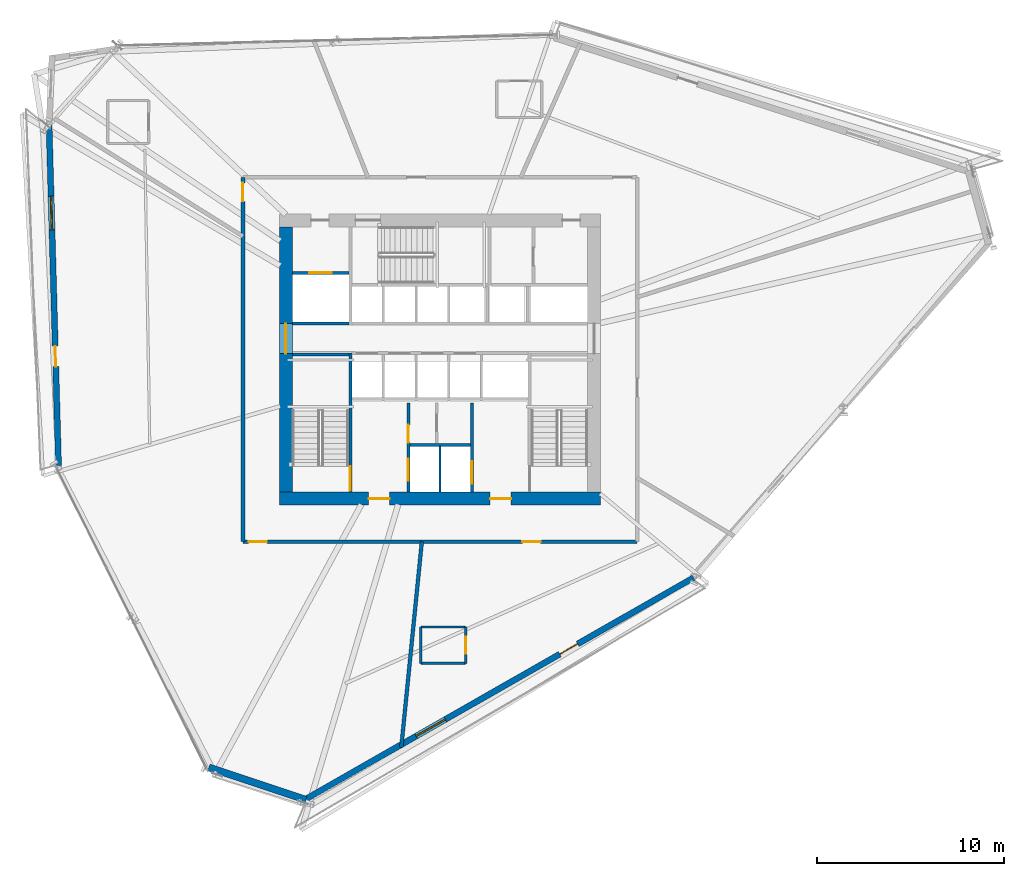
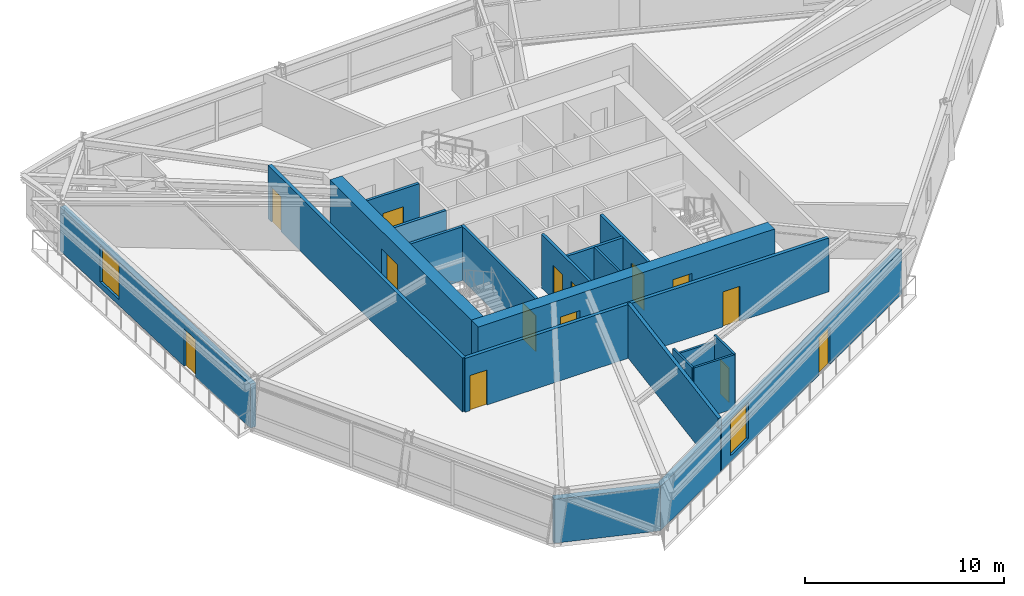
# One storey, part 14 of 20: 20 walls, 14 doors, 2 windows, 16 openings.
"""IFC4 building model written with IfcOpenShell, lengths in metres."""

from ifc_helpers import new_model, si_unit, direction, frame, frame_2d, origin, place, context, subcontext, project, spatial, rectangle, extrude, source, transform, mapped, material, layer, layer_set, type_object, type_shapes, element, fill, save


model = new_model("IFC4")

# Units and contexts
model_context = context("Model", 3, precision=1e-05, world=origin(), true_north=direction((0.0, 1.0)))
body_context = subcontext(model_context, "Body", "Model", "MODEL_VIEW")
ifc_project = project(units=[si_unit("LENGTHUNIT", "METRE"), si_unit("AREAUNIT", "SQUARE_METRE"), si_unit("VOLUMEUNIT", "CUBIC_METRE"), si_unit("PLANEANGLEUNIT", "RADIAN"), si_unit("MASSUNIT", "GRAM", prefix="KILO")], contexts=[model_context])

# Site, building, storey
site_placement = place(None, origin())
site = spatial("IfcSite", under=ifc_project, at=site_placement, CompositionType="ELEMENT")
building_placement = place(site_placement, origin())
building = spatial("IfcBuilding", under=site, at=building_placement, Name="Olszyna Solenne Hotel", CompositionType="ELEMENT")
storey_placement = place(building_placement, frame((0.0, 0.0, 98.60009765625)))
storey = spatial("IfcBuildingStorey", under=building, at=storey_placement, Name="L25", CompositionType="ELEMENT", Elevation=98.60009765625)

# Wall, openings, doors
ifc_material_1 = material(Name="Concrete C60/75", Category="concrete")
ifc_layer_1 = layer(ifc_material_1, 0.699951171875, Name="Concrete C60/75")
ifc_layer_set_1 = layer_set([ifc_layer_1], Name="Concrete C60/75")
wall_type_1 = type_object("IfcWallType", Name="WL-CR700", PredefinedType="SHEAR", material=ifc_layer_set_1)
wall_1_placement = place(storey_placement, frame((46.60009765625, 19.14990234375, 0.0), z_axis=(0.0, 0.0, 1.0), x_axis=(-1.0, 0.0, 0.0)))
wall_1 = element("IfcWall", 1, at=wall_1_placement, inside=storey, type_object=wall_type_1, Name="Core shear wall WL-CR700 CRW-L25-S", PredefinedType="SHEAR", context=body_context, shape_type="SweptSolid", body=[
    extrude(rectangle(XDim=17.2001953125, YDim=0.699951171875, at=frame_2d((8.60009765625, 0.0))), origin(), (0.0, 0.0, 1.0), 3.2998046875),
])
opening_1_placement = place(wall_1_placement, frame((4.800048828125, 0.0, 0.0)))
opening_1 = element("IfcOpeningElement", 2, at=opening_1_placement, cuts=wall_1, Name="Opening FL-L25-1", PredefinedType="OPENING", context=body_context, shape_type="SweptSolid", body=[
    extrude(rectangle(XDim=1.1201171875, YDim=2.25, at=frame_2d((0.56005859375, 1.125))), frame((0.0, 0.35986328125, 0.0), z_axis=(0.0, -1.0, 0.0), x_axis=(1.0, 0.0, 0.0)), (0.0, 0.0, 1.0), 0.719970703125),
])
opening_2_placement = place(wall_1_placement, frame((11.300048828125, 0.0, 0.0)))
opening_2 = element("IfcOpeningElement", 3, at=opening_2_placement, cuts=wall_1, Name="Opening FL-L25-2", PredefinedType="OPENING", context=body_context, shape_type="SweptSolid", body=[
    extrude(rectangle(XDim=1.1201171875, YDim=2.25, at=frame_2d((0.56005859375, 1.125))), frame((0.0, 0.35986328125, 0.0), z_axis=(0.0, -1.0, 0.0), x_axis=(1.0, 0.0, 0.0)), (0.0, 0.0, 1.0), 0.719970703125),
])
ifc_material_2 = material(Name="Steel S355J2", Category="steel")
door_type_1 = type_object("IfcDoorType", Name="DR-FL1", OperationType="NOTDEFINED", PredefinedType="DOOR", material=ifc_material_2)
shared_shape_1 = source(origin(), body_context, "Body", "SweptSolid", [
    extrude(rectangle(XDim=1.1201171875, YDim=2.25, at=frame_2d((0.56005859375, 1.125))), frame((0.0, 0.02490234375, 0.0), z_axis=(0.0, -1.0, 0.0), x_axis=(1.0, 0.0, 0.0)), (0.0, 0.0, 1.0), 0.050048828125),
])
type_shapes(door_type_1, [shared_shape_1])
door_1_placement = place(opening_1_placement, origin())
door_1 = element("IfcDoor", 4, at=door_1_placement, inside=storey, type_object=door_type_1, Name="Firefighting lift lobby smoke door FL-L25-1", OperationType="SINGLE_SWING_LEFT", OverallHeight=2.25, OverallWidth=1.1201171875, PredefinedType="DOOR", context=body_context, shape_type="MappedRepresentation", body=[
    mapped(shared_shape_1, transform((0.0, 0.0, 0.0), x_axis=(1.0, 0.0, 0.0), y_axis=(0.0, 1.0, 0.0), z_axis=(0.0, 0.0, 1.0), scale=1.0)),
])
fill(opening_1, door_1)
door_2_placement = place(opening_2_placement, origin())
door_2 = element("IfcDoor", 5, at=door_2_placement, inside=storey, type_object=door_type_1, Name="Firefighting lift lobby smoke door FL-L25-2", OperationType="SINGLE_SWING_RIGHT", OverallHeight=2.25, OverallWidth=1.1201171875, PredefinedType="DOOR", context=body_context, shape_type="MappedRepresentation", body=[
    mapped(shared_shape_1, transform((0.0, 0.0, 0.0), x_axis=(1.0, 0.0, 0.0), y_axis=(0.0, 1.0, 0.0), z_axis=(0.0, 0.0, 1.0), scale=1.0)),
])
fill(opening_2, door_2)

# Wall, opening, door
wall_2_placement = place(storey_placement, frame((29.75, 19.5, 0.0), z_axis=(0.0, 0.0, 1.0), x_axis=(0.0, 1.0, 0.0)))
wall_2 = element("IfcWall", 6, at=wall_2_placement, inside=storey, type_object=wall_type_1, Name="Core shear wall WL-CR700 CRW-L25-W", PredefinedType="SHEAR", context=body_context, shape_type="SweptSolid", body=[
    extrude(rectangle(XDim=14.199951171875, YDim=0.699951171875, at=frame_2d((7.10009765625, 0.0))), origin(), (0.0, 0.0, 1.0), 3.2998046875),
])
opening_3_placement = place(wall_2_placement, frame((7.419921875, 0.0, 0.0)))
opening_3 = element("IfcOpeningElement", 7, at=opening_3_placement, cuts=wall_2, Name="Opening LHD-L25-W", PredefinedType="OPENING", context=body_context, shape_type="SweptSolid", body=[
    extrude(rectangle(XDim=1.60009765625, YDim=2.199951171875, at=frame_2d((0.800048828125, 1.10009765625))), frame((0.0, 0.35986328125, 0.0), z_axis=(0.0, -1.0, 0.0), x_axis=(1.0, 0.0, 0.0)), (0.0, 0.0, 1.0), 0.719970703125),
])
ifc_material_3 = material(Name="Timber hardwood", Category="wood")
door_type_2 = type_object("IfcDoorType", Name="DR-CR1", OperationType="DOUBLE_DOOR_SINGLE_SWING", PredefinedType="DOOR", material=ifc_material_3)
shared_shape_2 = source(origin(), body_context, "Body", "SweptSolid", [
    extrude(rectangle(XDim=1.60009765625, YDim=2.199951171875, at=frame_2d((0.800048828125, 1.10009765625))), frame((0.0, 0.02490234375, 0.0), z_axis=(0.0, -1.0, 0.0), x_axis=(1.0, 0.0, 0.0)), (0.0, 0.0, 1.0), 0.050048828125),
])
type_shapes(door_type_2, [shared_shape_2])
door_3_placement = place(opening_3_placement, origin())
door_3 = element("IfcDoor", 8, at=door_3_placement, inside=storey, type_object=door_type_2, Name="Passenger lift lobby West fire door LHD-L25-W", OperationType="DOUBLE_DOOR_SINGLE_SWING", OverallHeight=2.199951171875, OverallWidth=1.60009765625, PredefinedType="DOOR", context=body_context, shape_type="MappedRepresentation", body=[
    mapped(shared_shape_2, transform((0.0, 0.0, 0.0), x_axis=(1.0, 0.0, 0.0), y_axis=(0.0, 1.0, 0.0), z_axis=(0.0, 0.0, 1.0), scale=1.0)),
])
fill(opening_3, door_3)

# Wall, openings, door, window
ifc_material_4 = material(Name="Precast concrete C45/55", Category="concrete")
ifc_layer_2 = layer(ifc_material_4, 0.320068359375, Name="Precast concrete C45/55")
ifc_layer_set_2 = layer_set([ifc_layer_2], Name="Precast concrete C45/55")
wall_type_2 = type_object("IfcWallType", Name="WL-EX320", PredefinedType="SOLIDWALL", material=ifc_layer_set_2)
wall_3_placement = place(storey_placement, frame((51.57080078125, 14.919189453125, 0.0), z_axis=(0.0, 0.0, 1.0), x_axis=(-0.868493525255, -0.495700510984, 0.0)))
wall_3 = element("IfcWall", 9, at=wall_3_placement, inside=storey, type_object=wall_type_2, Name="Exterior terracotta-precast frame wall WL-EX320 EW-L25-01", PredefinedType="SOLIDWALL", context=body_context, shape_type="SweptSolid", body=[
    extrude(rectangle(XDim=24.051025390625, YDim=0.320068359375, at=frame_2d((12.025390625, 0.0))), origin(), (0.0, 0.0, 1.0), 2.69189453125),
])
opening_4_placement = place(wall_3_placement, frame((7.14599609375, 0.0, 0.0)))
opening_4 = element("IfcOpeningElement", 10, at=opening_4_placement, cuts=wall_3, Name="Opening LDG-L25-3", PredefinedType="OPENING", context=body_context, shape_type="SweptSolid", body=[
    extrude(rectangle(XDim=1.10009765625, YDim=2.300048828125, at=frame_2d((0.550048828125, 1.14990234375))), frame((0.0, 0.169921875, 0.0), z_axis=(0.0, -1.0, 0.0), x_axis=(1.0, 0.0, 0.0)), (0.0, 0.0, 1.0), 0.340087890625),
])
opening_5_placement = place(wall_3_placement, frame((15.298095703125, 0.0, 0.3720703125)))
opening_5 = element("IfcOpeningElement", 11, at=opening_5_placement, cuts=wall_3, Name="Opening WN-L25-133", PredefinedType="OPENING", context=body_context, shape_type="SweptSolid", body=[
    extrude(rectangle(XDim=1.800048828125, YDim=2.199951171875, at=frame_2d((0.89990234375, 1.10009765625))), frame((0.0, 0.169921875, 0.0), z_axis=(0.0, -1.0, 0.0), x_axis=(1.0, 0.0, 0.0)), (0.0, 0.0, 1.0), 0.340087890625),
])
ifc_material_5 = material(Name="Anodised bronze aluminium", Category="aluminium")
door_type_3 = type_object("IfcDoorType", Name="DR-LG1", OperationType="NOTDEFINED", PredefinedType="DOOR", material=ifc_material_5)
shared_shape_3 = source(origin(), body_context, "Body", "SweptSolid", [
    extrude(rectangle(XDim=1.10009765625, YDim=2.300048828125, at=frame_2d((0.550048828125, 1.14990234375))), frame((0.0, 0.02490234375, 0.0), z_axis=(0.0, -1.0, 0.0), x_axis=(1.0, 0.0, 0.0)), (0.0, 0.0, 1.0), 0.050048828125),
])
type_shapes(door_type_3, [shared_shape_3])
door_4_placement = place(opening_4_placement, origin())
door_4 = element("IfcDoor", 12, at=door_4_placement, inside=storey, type_object=door_type_3, Name="Exterior loggia balcony door DR-LG1 LDG-L25-3", OperationType="SINGLE_SWING_LEFT", OverallHeight=2.300048828125, OverallWidth=1.10009765625, PredefinedType="DOOR", context=body_context, shape_type="MappedRepresentation", body=[
    mapped(shared_shape_3, transform((0.0, 0.0, 0.0), x_axis=(1.0, 0.0, 0.0), y_axis=(0.0, 1.0, 0.0), z_axis=(0.0, 0.0, 1.0), scale=1.0)),
])
fill(opening_4, door_4)
ifc_material_6 = material(Name="Low-E triple glazing", Category="glass")
window_type = type_object("IfcWindowType", Name="WN-HT1", PartitioningType="SINGLE_PANEL", PredefinedType="WINDOW", material=ifc_material_6)
shared_shape_4 = source(origin(), body_context, "Body", "SweptSolid", [
    extrude(rectangle(XDim=1.800048828125, YDim=2.199951171875, at=frame_2d((0.89990234375, 1.10009765625))), frame((0.0, 0.030029296875, 0.0), z_axis=(0.0, -1.0, 0.0), x_axis=(1.0, 0.0, 0.0)), (0.0, 0.0, 1.0), 0.06005859375),
])
type_shapes(window_type, [shared_shape_4])
window_1_placement = place(opening_5_placement, origin())
window_1 = element("IfcWindow", 13, at=window_1_placement, inside=storey, type_object=window_type, Name="Loggia room window WN-HT1 WN-L25-133", OverallHeight=2.199951171875, OverallWidth=1.800048828125, PartitioningType="SINGLE_PANEL", PredefinedType="WINDOW", context=body_context, shape_type="MappedRepresentation", body=[
    mapped(shared_shape_4, transform((0.0, 0.0, 0.0), x_axis=(1.0, 0.0, 0.0), y_axis=(0.0, 1.0, 0.0), z_axis=(0.0, 0.0, 1.0), scale=1.0)),
])
fill(opening_5, window_1)

wall_4_placement = place(storey_placement, frame((17.57958984375, 20.9306640625, 0.0), z_axis=(0.0, 0.0, 1.0), x_axis=(-0.027670598931, 0.99961709567, 0.0)))
wall_4 = element("IfcWall", 14, at=wall_4_placement, inside=storey, type_object=wall_type_2, Name="Exterior terracotta-precast frame wall WL-EX320 EW-L25-04", PredefinedType="SOLIDWALL", context=body_context, shape_type="SweptSolid", body=[
    extrude(rectangle(XDim=18.263916015625, YDim=0.320068359375, at=frame_2d((9.1318359375, 0.0))), origin(), (0.0, 0.0, 1.0), 2.69189453125),
])
opening_6_placement = place(wall_4_placement, frame((5.2939453125, 0.0, 0.0)))
opening_6 = element("IfcOpeningElement", 15, at=opening_6_placement, cuts=wall_4, Name="Opening LDG-L25-2", PredefinedType="OPENING", context=body_context, shape_type="SweptSolid", body=[
    extrude(rectangle(XDim=1.10009765625, YDim=2.300048828125, at=frame_2d((0.550048828125, 1.14990234375))), frame((0.0, 0.169921875, 0.0), z_axis=(0.0, -1.0, 0.0), x_axis=(1.0, 0.0, 0.0)), (0.0, 0.0, 1.0), 0.340087890625),
])
opening_7_placement = place(wall_4_placement, frame((12.614990234375, 0.0, 0.3720703125)))
opening_7 = element("IfcOpeningElement", 16, at=opening_7_placement, cuts=wall_4, Name="Opening WN-L25-134", PredefinedType="OPENING", context=body_context, shape_type="SweptSolid", body=[
    extrude(rectangle(XDim=1.800048828125, YDim=2.199951171875, at=frame_2d((0.89990234375, 1.10009765625))), frame((0.0, 0.169921875, 0.0), z_axis=(0.0, -1.0, 0.0), x_axis=(1.0, 0.0, 0.0)), (0.0, 0.0, 1.0), 0.340087890625),
])
door_5_placement = place(opening_6_placement, origin())
door_5 = element("IfcDoor", 17, at=door_5_placement, inside=storey, type_object=door_type_3, Name="Exterior loggia balcony door DR-LG1 LDG-L25-2", OperationType="SINGLE_SWING_RIGHT", OverallHeight=2.300048828125, OverallWidth=1.10009765625, PredefinedType="DOOR", context=body_context, shape_type="MappedRepresentation", body=[
    mapped(shared_shape_3, transform((0.0, 0.0, 0.0), x_axis=(1.0, 0.0, 0.0), y_axis=(0.0, 1.0, 0.0), z_axis=(0.0, 0.0, 1.0), scale=1.0)),
])
fill(opening_6, door_5)
window_2_placement = place(opening_7_placement, origin())
window_2 = element("IfcWindow", 18, at=window_2_placement, inside=storey, type_object=window_type, Name="Loggia room window WN-HT1 WN-L25-134", OverallHeight=2.199951171875, OverallWidth=1.800048828125, PartitioningType="SINGLE_PANEL", PredefinedType="WINDOW", context=body_context, shape_type="MappedRepresentation", body=[
    mapped(shared_shape_4, transform((0.0, 0.0, 0.0), x_axis=(1.0, 0.0, 0.0), y_axis=(0.0, 1.0, 0.0), z_axis=(0.0, 0.0, 1.0), scale=1.0)),
])
fill(opening_7, window_2)

# Walls
ifc_material_7 = material(Name="Terracotta cladding on precast concrete C45/55", Category="masonry")
ifc_layer_3 = layer(ifc_material_7, 0.3798828125, Name="Terracotta cladding on precast concrete C45/55")
ifc_layer_set_3 = layer_set([ifc_layer_3], Name="Terracotta cladding on precast concrete C45/55")
wall_type_3 = type_object("IfcWallType", Name="WL-EX380", PredefinedType="SOLIDWALL", material=ifc_layer_set_3)
wall_5_placement = place(storey_placement, frame((30.82177734375, 3.038330078125, 0.0), z_axis=(0.0, 0.0, 1.0), x_axis=(-0.948870681526, 0.315665059424, 0.0)))
element("IfcWall", 19, at=wall_5_placement, inside=storey, type_object=wall_type_3, Name="Exterior terracotta-precast frame wall WL-EX380 EW-L25-02", PredefinedType="SOLIDWALL", context=body_context, shape_type="SweptSolid", body=[
    extrude(rectangle(XDim=5.46728515625, YDim=0.3798828125, at=frame_2d((2.733642578125, 0.0))), origin(), (0.0, 0.0, 1.0), 2.69189453125),
])
ifc_material_8 = material(Name="Acoustic gypsum partition", Category="gypsum")
ifc_layer_4 = layer(ifc_material_8, 0.125, Name="Acoustic gypsum partition")
ifc_layer_set_4 = layer_set([ifc_layer_4], Name="Acoustic gypsum partition")
wall_type_4 = type_object("IfcWallType", Name="WL-PT125", PredefinedType="PARTITIONING", material=ifc_layer_set_4)
wall_6_placement = place(storey_placement, frame((38.0, 19.5, 0.0), z_axis=(0.0, 0.0, 1.0), x_axis=(0.0, 1.0, 0.0)))
element("IfcWall", 20, at=wall_6_placement, inside=storey, type_object=wall_type_4, Name="Core shaft compartment wall CW-L25-FFM", PredefinedType="PARTITIONING", context=body_context, shape_type="SweptSolid", body=[
    extrude(rectangle(XDim=2.4599609375, YDim=0.125, at=frame_2d((1.22998046875, 0.0))), origin(), (0.0, 0.0, 1.0), 3.2998046875),
])

# Wall, opening, door
wall_7_placement = place(storey_placement, frame((39.375, 10.3359375, 0.0), z_axis=(0.0, 0.0, 1.0), x_axis=(0.0, 1.0, 0.0)))
wall_7 = element("IfcWall", 21, at=wall_7_placement, inside=storey, type_object=wall_type_4, Name="Interior acoustic partition WL-PT125 PW-L25-1451", PredefinedType="PARTITIONING", context=body_context, shape_type="SweptSolid", body=[
    extrude(rectangle(XDim=1.949951171875, YDim=0.125, at=frame_2d((0.97509765625, 0.0))), origin(), (0.0, 0.0, 1.0), 3.2998046875),
])
opening_8_placement = place(wall_7_placement, frame((0.52490234375, 0.0, 0.0)))
opening_8 = element("IfcOpeningElement", 22, at=opening_8_placement, cuts=wall_7, Name="Opening DR-L25-0342", PredefinedType="OPENING", context=body_context, shape_type="SweptSolid", body=[
    extrude(rectangle(XDim=0.89990234375, YDim=2.10009765625, at=frame_2d((0.449951171875, 1.050048828125))), frame((0.0, 0.072509765625, 0.0), z_axis=(0.0, -1.0, 0.0), x_axis=(1.0, 0.0, 0.0)), (0.0, 0.0, 1.0), 0.14501953125),
])
door_type_4 = type_object("IfcDoorType", Name="DR-WC1", OperationType="NOTDEFINED", PredefinedType="DOOR", material=ifc_material_3)
shared_shape_5 = source(origin(), body_context, "Body", "SweptSolid", [
    extrude(rectangle(XDim=0.89990234375, YDim=2.10009765625, at=frame_2d((0.449951171875, 1.050048828125))), frame((0.0, 0.02490234375, 0.0), z_axis=(0.0, -1.0, 0.0), x_axis=(1.0, 0.0, 0.0)), (0.0, 0.0, 1.0), 0.050048828125),
])
type_shapes(door_type_4, [shared_shape_5])
door_6_placement = place(opening_8_placement, origin())
door_6 = element("IfcDoor", 23, at=door_6_placement, inside=storey, type_object=door_type_4, Name="En-Suite Bathroom Door DR-L25-0342", OperationType="SINGLE_SWING_RIGHT", OverallHeight=2.10009765625, OverallWidth=0.89990234375, PredefinedType="DOOR", context=body_context, shape_type="MappedRepresentation", body=[
    mapped(shared_shape_5, transform((0.0, 0.0, 0.0), x_axis=(1.0, 0.0, 0.0), y_axis=(0.0, 1.0, 0.0), z_axis=(0.0, 0.0, 1.0), scale=1.0)),
])
fill(opening_8, door_6)

# Walls
wall_8_placement = place(storey_placement, frame((39.375, 12.285888671875, 0.0), z_axis=(0.0, 0.0, 1.0), x_axis=(-1.0, 0.0, 0.0)))
element("IfcWall", 24, at=wall_8_placement, inside=storey, type_object=wall_type_4, Name="Interior acoustic partition WL-PT125 PW-L25-1452", PredefinedType="PARTITIONING", context=body_context, shape_type="SweptSolid", body=[
    extrude(rectangle(XDim=2.39990234375, YDim=0.125, at=frame_2d((1.199951171875, 0.0))), origin(), (0.0, 0.0, 1.0), 2.9248046875),
])
wall_9_placement = place(storey_placement, frame((36.97509765625, 12.285888671875, 0.0), z_axis=(0.0, 0.0, 1.0), x_axis=(0.0, -1.0, 0.0)))
element("IfcWall", 25, at=wall_9_placement, inside=storey, type_object=wall_type_4, Name="Interior acoustic partition WL-PT125 PW-L25-1453", PredefinedType="PARTITIONING", context=body_context, shape_type="SweptSolid", body=[
    extrude(rectangle(XDim=1.949951171875, YDim=0.125, at=frame_2d((0.97509765625, 0.0))), origin(), (0.0, 0.0, 1.0), 3.2998046875),
])
wall_10_placement = place(storey_placement, frame((36.97509765625, 10.3359375, 0.0), z_axis=(0.0, 0.0, 1.0), x_axis=(1.0, 0.0, 0.0)))
element("IfcWall", 26, at=wall_10_placement, inside=storey, type_object=wall_type_4, Name="Interior acoustic partition WL-PT125 PW-L25-1454", PredefinedType="PARTITIONING", context=body_context, shape_type="SweptSolid", body=[
    extrude(rectangle(XDim=2.39990234375, YDim=0.125, at=frame_2d((1.199951171875, 0.0))), origin(), (0.0, 0.0, 1.0), 3.2998046875),
])

# Wall, opening, door
ifc_layer_5 = layer(ifc_material_8, 0.159912109375, Name="Acoustic gypsum partition")
ifc_layer_set_5 = layer_set([ifc_layer_5], Name="Acoustic gypsum partition")
wall_type_5 = type_object("IfcWallType", Name="WL-PT160", PredefinedType="PARTITIONING", material=ifc_layer_set_5)
wall_11_placement = place(storey_placement, frame((33.199951171875, 19.5, 0.0), z_axis=(0.0, 0.0, 1.0), x_axis=(0.0, 1.0, 0.0)))
wall_11 = element("IfcWall", 27, at=wall_11_placement, inside=storey, type_object=wall_type_5, Name="Core shaft compartment wall CW-L25-ST1E", PredefinedType="PARTITIONING", context=body_context, shape_type="SweptSolid", body=[
    extrude(rectangle(XDim=7.4599609375, YDim=0.159912109375, at=frame_2d((3.72998046875, 0.0))), origin(), (0.0, 0.0, 1.0), 3.2998046875),
])
opening_9_placement = place(wall_11_placement, frame((0.080078125, 0.0, 0.0)))
opening_9 = element("IfcOpeningElement", 28, at=opening_9_placement, cuts=wall_11, Name="Opening STD-L25-01", PredefinedType="OPENING", context=body_context, shape_type="SweptSolid", body=[
    extrude(rectangle(XDim=1.320068359375, YDim=2.199951171875, at=frame_2d((0.66015625, 1.10009765625))), frame((0.0, 0.08984375, 0.0), z_axis=(0.0, -1.0, 0.0), x_axis=(1.0, 0.0, 0.0)), (0.0, 0.0, 1.0), 0.179931640625),
])
door_type_5 = type_object("IfcDoorType", Name="DR-ST1", OperationType="NOTDEFINED", PredefinedType="DOOR", material=ifc_material_2)
shared_shape_6 = source(origin(), body_context, "Body", "SweptSolid", [
    extrude(rectangle(XDim=1.320068359375, YDim=2.199951171875, at=frame_2d((0.66015625, 1.10009765625))), frame((0.0, 0.02490234375, 0.0), z_axis=(0.0, -1.0, 0.0), x_axis=(1.0, 0.0, 0.0)), (0.0, 0.0, 1.0), 0.050048828125),
])
type_shapes(door_type_5, [shared_shape_6])
door_7_placement = place(opening_9_placement, origin())
door_7 = element("IfcDoor", 29, at=door_7_placement, inside=storey, type_object=door_type_5, Name="Pressurised exit stair ST1 fire door STD-L25-01", OperationType="SINGLE_SWING_LEFT", OverallHeight=2.199951171875, OverallWidth=1.320068359375, PredefinedType="DOOR", context=body_context, shape_type="MappedRepresentation", body=[
    mapped(shared_shape_6, transform((0.0, 0.0, 0.0), x_axis=(1.0, 0.0, 0.0), y_axis=(0.0, 1.0, 0.0), z_axis=(0.0, 0.0, 1.0), scale=1.0)),
])
fill(opening_9, door_7)

# Wall
wall_12_placement = place(storey_placement, frame((30.10009765625, 26.8798828125, 0.0), z_axis=(0.0, 0.0, 1.0), x_axis=(1.0, 0.0, 0.0)))
element("IfcWall", 30, at=wall_12_placement, inside=storey, type_object=wall_type_5, Name="Core shaft compartment wall CW-L25-ST1N", PredefinedType="PARTITIONING", context=body_context, shape_type="SweptSolid", body=[
    extrude(rectangle(XDim=3.02001953125, YDim=0.159912109375, at=frame_2d((1.510009765625, 0.0))), origin(), (0.0, 0.0, 1.0), 3.2998046875),
])

# Wall, openings, doors
wall_13_placement = place(storey_placement, frame((36.300048828125, 19.5, 0.0), z_axis=(0.0, 0.0, 1.0), x_axis=(0.0, 1.0, 0.0)))
wall_13 = element("IfcWall", 31, at=wall_13_placement, inside=storey, type_object=wall_type_5, Name="Core shaft compartment wall CW-L25-FF1W", PredefinedType="PARTITIONING", context=body_context, shape_type="SweptSolid", body=[
    extrude(rectangle(XDim=4.780029296875, YDim=0.159912109375, at=frame_2d((2.39013671875, 0.0))), origin(), (0.0, 0.0, 1.0), 3.2998046875),
])
opening_10_placement = place(wall_13_placement, frame((0.60009765625, 0.0, 0.0)))
opening_10 = element("IfcOpeningElement", 32, at=opening_10_placement, cuts=wall_13, Name="Opening LD-L25-FF1", PredefinedType="OPENING", context=body_context, shape_type="SweptSolid", body=[
    extrude(rectangle(XDim=1.199951171875, YDim=2.199951171875, at=frame_2d((0.60009765625, 1.10009765625))), frame((0.0, 0.08984375, 0.0), z_axis=(0.0, -1.0, 0.0), x_axis=(1.0, 0.0, 0.0)), (0.0, 0.0, 1.0), 0.179931640625),
])
opening_11_placement = place(wall_13_placement, frame((2.64990234375, 0.0, 0.0)))
opening_11 = element("IfcOpeningElement", 33, at=opening_11_placement, cuts=wall_13, Name="Opening SVD-L25-SMK", PredefinedType="OPENING", context=body_context, shape_type="SweptSolid", body=[
    extrude(rectangle(XDim=0.949951171875, YDim=2.10009765625, at=frame_2d((0.47509765625, 1.050048828125))), frame((0.0, 0.08984375, 0.0), z_axis=(0.0, -1.0, 0.0), x_axis=(1.0, 0.0, 0.0)), (0.0, 0.0, 1.0), 0.179931640625),
])
door_type_6 = type_object("IfcDoorType", Name="DR-SV1", OperationType="NOTDEFINED", PredefinedType="DOOR", material=ifc_material_2)
shared_shape_7 = source(origin(), body_context, "Body", "SweptSolid", [
    extrude(rectangle(XDim=0.949951171875, YDim=2.10009765625, at=frame_2d((0.47509765625, 1.050048828125))), frame((0.0, 0.02490234375, 0.0), z_axis=(0.0, -1.0, 0.0), x_axis=(1.0, 0.0, 0.0)), (0.0, 0.0, 1.0), 0.050048828125),
])
type_shapes(door_type_6, [shared_shape_7])
door_8_placement = place(opening_11_placement, origin())
door_8 = element("IfcDoor", 34, at=door_8_placement, inside=storey, type_object=door_type_6, Name="Valet and core service room door SVD-L25-SMK", OperationType="SINGLE_SWING_LEFT", OverallHeight=2.10009765625, OverallWidth=0.949951171875, PredefinedType="DOOR", context=body_context, shape_type="MappedRepresentation", body=[
    mapped(shared_shape_7, transform((0.0, 0.0, 0.0), x_axis=(1.0, 0.0, 0.0), y_axis=(0.0, 1.0, 0.0), z_axis=(0.0, 0.0, 1.0), scale=1.0)),
])
fill(opening_11, door_8)
door_type_7 = type_object("IfcDoorType", Name="LD-FF1", OperationType="DOUBLE_DOOR_SLIDING", PredefinedType="DOOR", material=ifc_material_2)
shared_shape_8 = source(origin(), body_context, "Body", "SweptSolid", [
    extrude(rectangle(XDim=1.199951171875, YDim=2.199951171875, at=frame_2d((0.60009765625, 1.10009765625))), frame((0.0, 0.02490234375, 0.0), z_axis=(0.0, -1.0, 0.0), x_axis=(1.0, 0.0, 0.0)), (0.0, 0.0, 1.0), 0.050048828125),
])
type_shapes(door_type_7, [shared_shape_8])
door_9_placement = place(opening_10_placement, origin())
door_9 = element("IfcDoor", 35, at=door_9_placement, inside=storey, type_object=door_type_7, Name="Firefighters lift FF1 sliding landing door LD-L25-FF1", OperationType="DOUBLE_DOOR_SLIDING", OverallHeight=2.199951171875, OverallWidth=1.199951171875, PredefinedType="DOOR", context=body_context, shape_type="MappedRepresentation", body=[
    mapped(shared_shape_8, transform((0.0, 0.0, 0.0), x_axis=(1.0, 0.0, 0.0), y_axis=(0.0, 1.0, 0.0), z_axis=(0.0, 0.0, 1.0), scale=1.0)),
])
fill(opening_10, door_9)

# Wall, opening, door
wall_14_placement = place(storey_placement, frame((39.699951171875, 24.280029296875, 0.0), z_axis=(0.0, 0.0, 1.0), x_axis=(0.0, -1.0, 0.0)))
wall_14 = element("IfcWall", 36, at=wall_14_placement, inside=storey, type_object=wall_type_5, Name="Core shaft compartment wall CW-L25-FF2E", PredefinedType="PARTITIONING", context=body_context, shape_type="SweptSolid", body=[
    extrude(rectangle(XDim=4.780029296875, YDim=0.159912109375, at=frame_2d((2.39013671875, 0.0))), origin(), (0.0, 0.0, 1.0), 3.2998046875),
])
opening_12_placement = place(wall_14_placement, frame((3.1201171875, 0.0, 0.0)))
opening_12 = element("IfcOpeningElement", 37, at=opening_12_placement, cuts=wall_14, Name="Opening LD-L25-FF2", PredefinedType="OPENING", context=body_context, shape_type="SweptSolid", body=[
    extrude(rectangle(XDim=1.199951171875, YDim=2.199951171875, at=frame_2d((0.60009765625, 1.10009765625))), frame((0.0, 0.08984375, 0.0), z_axis=(0.0, -1.0, 0.0), x_axis=(1.0, 0.0, 0.0)), (0.0, 0.0, 1.0), 0.179931640625),
])
door_10_placement = place(opening_12_placement, origin())
door_10 = element("IfcDoor", 38, at=door_10_placement, inside=storey, type_object=door_type_7, Name="Firefighters lift FF2 sliding landing door LD-L25-FF2", OperationType="DOUBLE_DOOR_SLIDING", OverallHeight=2.199951171875, OverallWidth=1.199951171875, PredefinedType="DOOR", context=body_context, shape_type="MappedRepresentation", body=[
    mapped(shared_shape_8, transform((0.0, 0.0, 0.0), x_axis=(1.0, 0.0, 0.0), y_axis=(0.0, 1.0, 0.0), z_axis=(0.0, 0.0, 1.0), scale=1.0)),
])
fill(opening_12, door_10)

# Walls
wall_15_placement = place(storey_placement, frame((36.3798828125, 22.02001953125, 0.0), z_axis=(0.0, 0.0, 1.0), x_axis=(1.0, 0.0, 0.0)))
element("IfcWall", 39, at=wall_15_placement, inside=storey, type_object=wall_type_5, Name="Core shaft compartment wall CW-L25-FFN", PredefinedType="PARTITIONING", context=body_context, shape_type="SweptSolid", body=[
    extrude(rectangle(XDim=3.240234375, YDim=0.159912109375, at=frame_2d((1.6201171875, 0.0))), origin(), (0.0, 0.0, 1.0), 3.2998046875),
])
wall_16_placement = place(storey_placement, frame((30.10009765625, 28.52001953125, 0.0), z_axis=(0.0, 0.0, 1.0), x_axis=(1.0, 0.0, 0.0)))
element("IfcWall", 40, at=wall_16_placement, inside=storey, type_object=wall_type_5, Name="Core shaft compartment wall CW-L25-SV1S", PredefinedType="PARTITIONING", context=body_context, shape_type="SweptSolid", body=[
    extrude(rectangle(XDim=3.02001953125, YDim=0.159912109375, at=frame_2d((1.510009765625, 0.0))), origin(), (0.0, 0.0, 1.0), 3.2998046875),
])

# Wall, opening, door
wall_17_placement = place(storey_placement, frame((30.10009765625, 31.239990234375, 0.0), z_axis=(0.0, 0.0, 1.0), x_axis=(1.0, 0.0, 0.0)))
wall_17 = element("IfcWall", 41, at=wall_17_placement, inside=storey, type_object=wall_type_5, Name="Core shaft compartment wall CW-L25-SV1N", PredefinedType="PARTITIONING", context=body_context, shape_type="SweptSolid", body=[
    extrude(rectangle(XDim=3.02001953125, YDim=0.159912109375, at=frame_2d((1.510009765625, 0.0))), origin(), (0.0, 0.0, 1.0), 3.2998046875),
])
opening_13_placement = place(wall_17_placement, frame((0.909912109375, 0.0, 0.0)))
opening_13 = element("IfcOpeningElement", 42, at=opening_13_placement, cuts=wall_17, Name="Opening LD-L25-SV1", PredefinedType="OPENING", context=body_context, shape_type="SweptSolid", body=[
    extrude(rectangle(XDim=1.199951171875, YDim=2.199951171875, at=frame_2d((0.60009765625, 1.10009765625))), frame((0.0, 0.08984375, 0.0), z_axis=(0.0, -1.0, 0.0), x_axis=(1.0, 0.0, 0.0)), (0.0, 0.0, 1.0), 0.179931640625),
])
door_11_placement = place(opening_13_placement, origin())
door_11 = element("IfcDoor", 43, at=door_11_placement, inside=storey, type_object=door_type_7, Name="Service lift SV1 sliding landing door LD-L25-SV1", OperationType="DOUBLE_DOOR_SLIDING", OverallHeight=2.199951171875, OverallWidth=1.199951171875, PredefinedType="DOOR", context=body_context, shape_type="MappedRepresentation", body=[
    mapped(shared_shape_8, transform((0.0, 0.0, 0.0), x_axis=(1.0, 0.0, 0.0), y_axis=(0.0, 1.0, 0.0), z_axis=(0.0, 0.0, 1.0), scale=1.0)),
])
fill(opening_13, door_11)

# Wall
ifc_layer_6 = layer(ifc_material_8, 0.199951171875, Name="Acoustic gypsum partition")
ifc_layer_set_6 = layer_set([ifc_layer_6], Name="Acoustic gypsum partition")
wall_type_6 = type_object("IfcWallType", Name="WL-PT200", PredefinedType="PARTITIONING", material=ifc_layer_set_6)
wall_18_placement = place(storey_placement, frame((37.025390625, 16.85009765625, 0.0), z_axis=(0.0, 0.0, 1.0), x_axis=(-0.099462213359, -0.995041339902, 0.0)))
element("IfcWall", 44, at=wall_18_placement, inside=storey, type_object=wall_type_6, Name="Interior acoustic partition WL-PT200 PW-L25-1446", PredefinedType="PARTITIONING", context=body_context, shape_type="SweptSolid", body=[
    extrude(rectangle(XDim=11.0654296875, YDim=0.199951171875, at=frame_2d((5.53271484375, 0.0))), origin(), (0.0, 0.0, 1.0), 3.2998046875),
])

# Wall, openings, doors
wall_19_placement = place(storey_placement, frame((27.449951171875, 16.85009765625, 0.0), z_axis=(0.0, 0.0, 1.0), x_axis=(1.0, 0.0, 0.0)))
wall_19 = element("IfcWall", 45, at=wall_19_placement, inside=storey, type_object=wall_type_6, Name="Interior acoustic partition WL-PT200 PW-L25-1463", PredefinedType="PARTITIONING", context=body_context, shape_type="SweptSolid", body=[
    extrude(rectangle(XDim=21.10009765625, YDim=0.199951171875, at=frame_2d((10.550048828125, 0.0))), origin(), (0.0, 0.0, 1.0), 3.2998046875),
])
opening_14_placement = place(wall_19_placement, frame((0.300048828125, 0.0, 0.0)))
opening_14 = element("IfcOpeningElement", 46, at=opening_14_placement, cuts=wall_19, Name="Opening DR-L25-0345", PredefinedType="OPENING", context=body_context, shape_type="SweptSolid", body=[
    extrude(rectangle(XDim=0.97998046875, YDim=2.14990234375, at=frame_2d((0.489990234375, 1.074951171875))), frame((0.0, 0.10986328125, 0.0), z_axis=(0.0, -1.0, 0.0), x_axis=(1.0, 0.0, 0.0)), (0.0, 0.0, 1.0), 0.219970703125),
])
opening_15_placement = place(wall_19_placement, frame((14.95703125, 0.0, 0.0)))
opening_15 = element("IfcOpeningElement", 47, at=opening_15_placement, cuts=wall_19, Name="Opening DR-L25-0346", PredefinedType="OPENING", context=body_context, shape_type="SweptSolid", body=[
    extrude(rectangle(XDim=0.97998046875, YDim=2.14990234375, at=frame_2d((0.489990234375, 1.074951171875))), frame((0.0, 0.10986328125, 0.0), z_axis=(0.0, -1.0, 0.0), x_axis=(1.0, 0.0, 0.0)), (0.0, 0.0, 1.0), 0.219970703125),
])
door_type_8 = type_object("IfcDoorType", Name="DR-RM1", OperationType="NOTDEFINED", PredefinedType="DOOR", material=ifc_material_3)
shared_shape_9 = source(origin(), body_context, "Body", "SweptSolid", [
    extrude(rectangle(XDim=0.97998046875, YDim=2.14990234375, at=frame_2d((0.489990234375, 1.074951171875))), frame((0.0, 0.02490234375, 0.0), z_axis=(0.0, -1.0, 0.0), x_axis=(1.0, 0.0, 0.0)), (0.0, 0.0, 1.0), 0.050048828125),
])
type_shapes(door_type_8, [shared_shape_9])
door_12_placement = place(opening_14_placement, origin())
door_12 = element("IfcDoor", 48, at=door_12_placement, inside=storey, type_object=door_type_8, Name="Boutique Art Gallery Entrance Door DR-L25-0345", OperationType="SINGLE_SWING_RIGHT", OverallHeight=2.14990234375, OverallWidth=0.97998046875, PredefinedType="DOOR", context=body_context, shape_type="MappedRepresentation", body=[
    mapped(shared_shape_9, transform((0.0, 0.0, 0.0), x_axis=(1.0, 0.0, 0.0), y_axis=(0.0, 1.0, 0.0), z_axis=(0.0, 0.0, 1.0), scale=1.0)),
])
fill(opening_14, door_12)
door_13_placement = place(opening_15_placement, origin())
door_13 = element("IfcDoor", 49, at=door_13_placement, inside=storey, type_object=door_type_8, Name="Corner Panorama Suite Entrance Door DR-L25-0346", OperationType="SINGLE_SWING_LEFT", OverallHeight=2.14990234375, OverallWidth=0.97998046875, PredefinedType="DOOR", context=body_context, shape_type="MappedRepresentation", body=[
    mapped(shared_shape_9, transform((0.0, 0.0, 0.0), x_axis=(1.0, 0.0, 0.0), y_axis=(0.0, 1.0, 0.0), z_axis=(0.0, 0.0, 1.0), scale=1.0)),
])
fill(opening_15, door_13)

# Wall, opening, door
wall_20_placement = place(storey_placement, frame((27.449951171875, 16.85009765625, 0.0), z_axis=(0.0, 0.0, 1.0), x_axis=(0.0, 1.0, 0.0)))
wall_20 = element("IfcWall", 50, at=wall_20_placement, inside=storey, type_object=wall_type_6, Name="Interior acoustic partition WL-PT200 PW-L25-1464", PredefinedType="PARTITIONING", context=body_context, shape_type="SweptSolid", body=[
    extrude(rectangle(XDim=19.5, YDim=0.199951171875, at=frame_2d((9.75, 0.0))), origin(), (0.0, 0.0, 1.0), 3.2998046875),
])
opening_16_placement = place(wall_20_placement, frame((18.219970703125, 0.0, 0.0)))
opening_16 = element("IfcOpeningElement", 51, at=opening_16_placement, cuts=wall_20, Name="Opening DR-L25-0347", PredefinedType="OPENING", context=body_context, shape_type="SweptSolid", body=[
    extrude(rectangle(XDim=0.97998046875, YDim=2.14990234375, at=frame_2d((0.489990234375, 1.074951171875))), frame((0.0, 0.10986328125, 0.0), z_axis=(0.0, -1.0, 0.0), x_axis=(1.0, 0.0, 0.0)), (0.0, 0.0, 1.0), 0.219970703125),
])
door_14_placement = place(opening_16_placement, origin())
door_14 = element("IfcDoor", 52, at=door_14_placement, inside=storey, type_object=door_type_8, Name="Executive Reading Salon Entrance Door DR-L25-0347", OperationType="SINGLE_SWING_LEFT", OverallHeight=2.14990234375, OverallWidth=0.97998046875, PredefinedType="DOOR", context=body_context, shape_type="MappedRepresentation", body=[
    mapped(shared_shape_9, transform((0.0, 0.0, 0.0), x_axis=(1.0, 0.0, 0.0), y_axis=(0.0, 1.0, 0.0), z_axis=(0.0, 0.0, 1.0), scale=1.0)),
])
fill(opening_16, door_14)

save(model, "model.ifc")
